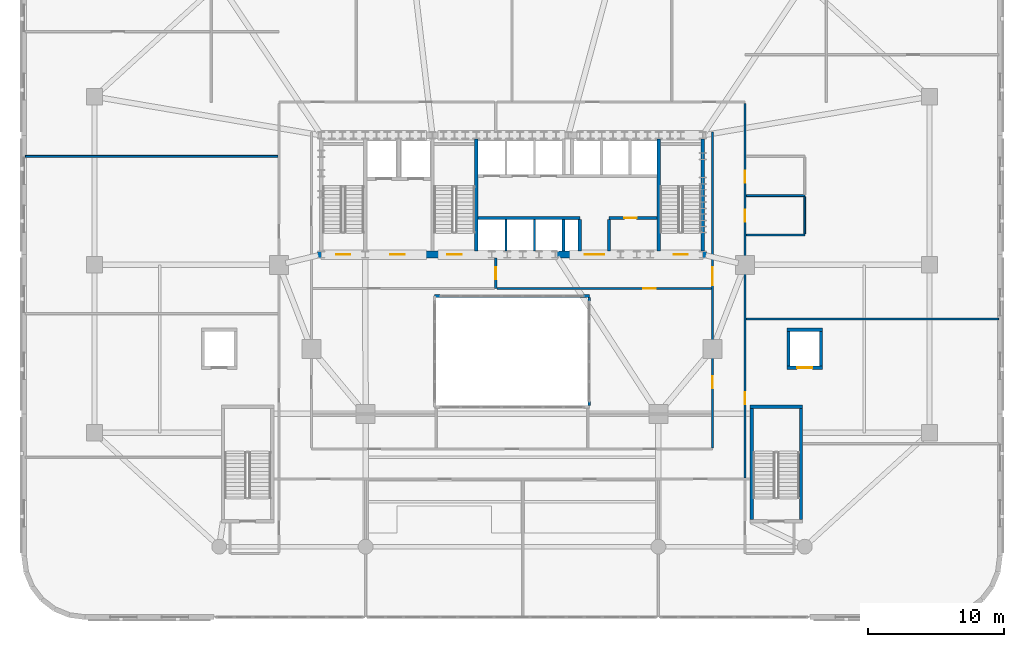
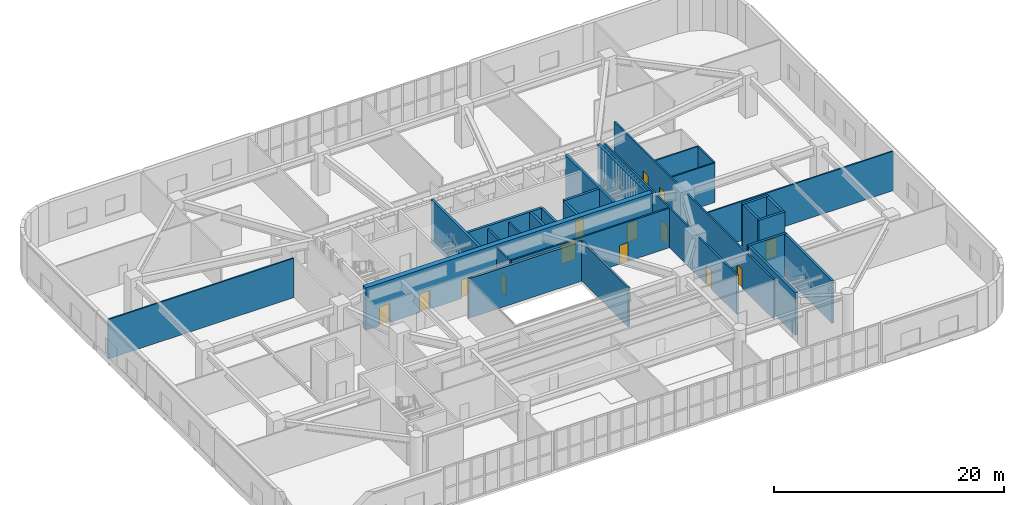
# One storey, part 15 of 25: 29 walls, 14 doors, 14 openings.
"""IFC4 building model written with IfcOpenShell, lengths in metres."""

from ifc_helpers import new_model, si_unit, direction, frame, frame_2d, origin, place, context, subcontext, project, spatial, rectangle, extrude, material, layer, layer_set, type_object, element, fill, save


model = new_model("IFC4")

# Units and contexts
model_context = context("Model", 3, precision=1e-05, world=origin(), true_north=direction((0.0, 1.0)))
body_context = subcontext(model_context, "Body", "Model", "MODEL_VIEW")
ifc_project = project(units=[si_unit("LENGTHUNIT", "METRE"), si_unit("AREAUNIT", "SQUARE_METRE"), si_unit("VOLUMEUNIT", "CUBIC_METRE"), si_unit("PLANEANGLEUNIT", "RADIAN"), si_unit("MASSUNIT", "GRAM", prefix="KILO")], contexts=[model_context])

# Site, building, storey
site_placement = place(None, origin())
site = spatial("IfcSite", under=ifc_project, at=site_placement, CompositionType="ELEMENT")
building_placement = place(site_placement, origin())
building = spatial("IfcBuilding", under=site, at=building_placement, Name="Haldorwick Loom Tower", CompositionType="ELEMENT")
storey_placement = place(building_placement, frame((0.0, 0.0, 10.5)))
storey = spatial("IfcBuildingStorey", under=building, at=storey_placement, Name="L02", CompositionType="ELEMENT", Elevation=10.5)

# Wall, opening, door
ifc_material_1 = material(Name="Fire-Rated Type X Gypsum Stud Assembly EI 60")
ifc_layer_1 = layer(ifc_material_1, 0.159912109375, Name="Fire-Rated Type X Gypsum Stud Assembly EI 60")
ifc_layer_set_1 = layer_set([ifc_layer_1], Name="Fire-Rated Type X Gypsum Stud Assembly EI 60")
wall_type_1 = type_object("IfcWallType", Name="ARC-WL-FIRE160", PredefinedType="PARTITIONING", material=ifc_layer_set_1)
wall_1_placement = place(storey_placement, frame((34.800048828125, 24.25, 0.0), z_axis=(0.0, 0.0, 1.0), x_axis=(0.0, 1.0, 0.0)))
wall_1 = element("IfcWall", 1, at=wall_1_placement, inside=storey, type_object=wall_type_1, Name="L02 Podium Partition L02-CCS", PredefinedType="PARTITIONING", context=body_context, shape_type="SweptSolid", body=[
    extrude(rectangle(XDim=2.2470703125, YDim=0.159912109375, at=frame_2d((1.12353515625, 0.0))), origin(), (0.0, 0.0, 1.0), 4.18505859375),
])
opening_1_placement = place(wall_1_placement, frame((0.673583984375, 0.0, 0.0)))
opening_1 = element("IfcOpeningElement", 2, at=opening_1_placement, cuts=wall_1, Name="Opening D-FD60A", PredefinedType="OPENING", context=body_context, shape_type="SweptSolid", body=[
    extrude(rectangle(XDim=0.89990234375, YDim=2.0, at=frame_2d((0.449951171875, 1.0))), frame((0.0, 0.08984375, 0.0), z_axis=(0.0, -1.0, 0.0), x_axis=(1.0, 0.0, 0.0)), (0.0, 0.0, 1.0), 0.179931640625),
])
ifc_material_2 = material(Name="Hollow Steel Fire Door Assembly", Category="steel")
door_type_1 = type_object("IfcDoorType", Name="ARC-DR-FD60-90", OperationType="NOTDEFINED", PredefinedType="DOOR", material=ifc_material_2)
door_1_placement = place(opening_1_placement, origin())
door_1 = element("IfcDoor", 3, at=door_1_placement, inside=storey, type_object=door_type_1, Name="L02 L02 West Core Corridor to L02 East Core Corridor Door", OperationType="SINGLE_SWING_LEFT", OverallHeight=2.0, OverallWidth=0.89990234375, PredefinedType="DOOR", context=body_context, shape_type="SweptSolid", body=[
    extrude(rectangle(XDim=0.89990234375, YDim=2.0, at=frame_2d((0.449951171875, 1.0))), frame((0.0, 0.02490234375, 0.0), z_axis=(0.0, -1.0, 0.0), x_axis=(1.0, 0.0, 0.0)), (0.0, 0.0, 1.0), 0.050048828125),
])
fill(opening_1, door_1)

# Wall, openings, doors
wall_2_placement = place(storey_placement, frame((53.199951171875, 10.282958984375, 0.0), z_axis=(0.0, 0.0, 1.0), x_axis=(0.0, 1.0, 0.0)))
wall_2 = element("IfcWall", 4, at=wall_2_placement, inside=storey, type_object=wall_type_1, Name="L02 Podium Partition L02-CE0", PredefinedType="PARTITIONING", context=body_context, shape_type="SweptSolid", body=[
    extrude(rectangle(XDim=27.634033203125, YDim=0.159912109375, at=frame_2d((13.81689453125, 0.0))), origin(), (0.0, 0.0, 1.0), 4.18505859375),
])
opening_2_placement = place(wall_2_placement, frame((5.408447265625, 0.0, 0.0)))
opening_2 = element("IfcOpeningElement", 5, at=opening_2_placement, cuts=wall_2, Name="Opening D-FD60A", PredefinedType="OPENING", context=body_context, shape_type="SweptSolid", body=[
    extrude(rectangle(XDim=0.89990234375, YDim=2.0, at=frame_2d((0.449951171875, 1.0))), frame((0.0, 0.08984375, 0.0), z_axis=(0.0, -1.0, 0.0), x_axis=(1.0, 0.0, 0.0)), (0.0, 0.0, 1.0), 0.179931640625),
])
opening_3_placement = place(wall_2_placement, frame((18.893798828125, 0.0, 0.0)))
opening_3 = element("IfcOpeningElement", 6, at=opening_3_placement, cuts=wall_2, Name="Opening D-FD60A", PredefinedType="OPENING", context=body_context, shape_type="SweptSolid", body=[
    extrude(rectangle(XDim=0.89990234375, YDim=2.0, at=frame_2d((0.449951171875, 1.0))), frame((0.0, 0.08984375, 0.0), z_axis=(0.0, -1.0, 0.0), x_axis=(1.0, 0.0, 0.0)), (0.0, 0.0, 1.0), 0.179931640625),
])
opening_4_placement = place(wall_2_placement, frame((21.767578125, 0.0, 0.0)))
opening_4 = element("IfcOpeningElement", 7, at=opening_4_placement, cuts=wall_2, Name="Opening D-FD60A", PredefinedType="OPENING", context=body_context, shape_type="SweptSolid", body=[
    extrude(rectangle(XDim=0.89990234375, YDim=2.0, at=frame_2d((0.449951171875, 1.0))), frame((0.0, 0.08984375, 0.0), z_axis=(0.0, -1.0, 0.0), x_axis=(1.0, 0.0, 0.0)), (0.0, 0.0, 1.0), 0.179931640625),
])
door_2_placement = place(opening_2_placement, origin())
door_2 = element("IfcDoor", 8, at=door_2_placement, inside=storey, type_object=door_type_1, Name="L02 L02 South Clinic Corridor to Clinic Conference Room 11 Door", OperationType="SINGLE_SWING_RIGHT", OverallHeight=2.0, OverallWidth=0.89990234375, PredefinedType="DOOR", context=body_context, shape_type="SweptSolid", body=[
    extrude(rectangle(XDim=0.89990234375, YDim=2.0, at=frame_2d((0.449951171875, 1.0))), frame((0.0, 0.02490234375, 0.0), z_axis=(0.0, -1.0, 0.0), x_axis=(1.0, 0.0, 0.0)), (0.0, 0.0, 1.0), 0.050048828125),
])
fill(opening_2, door_2)
door_3_placement = place(opening_3_placement, origin())
door_3 = element("IfcDoor", 9, at=door_3_placement, inside=storey, type_object=door_type_1, Name="L02 L02 South Clinic Corridor to Public Washroom Door", OperationType="SINGLE_SWING_RIGHT", OverallHeight=2.0, OverallWidth=0.89990234375, PredefinedType="DOOR", context=body_context, shape_type="SweptSolid", body=[
    extrude(rectangle(XDim=0.89990234375, YDim=2.0, at=frame_2d((0.449951171875, 1.0))), frame((0.0, 0.02490234375, 0.0), z_axis=(0.0, -1.0, 0.0), x_axis=(1.0, 0.0, 0.0)), (0.0, 0.0, 1.0), 0.050048828125),
])
fill(opening_3, door_3)
door_4_placement = place(opening_4_placement, origin())
door_4 = element("IfcDoor", 10, at=door_4_placement, inside=storey, type_object=door_type_1, Name="L02 L02 South Clinic Corridor to Accessible WC Door", OperationType="SINGLE_SWING_LEFT", OverallHeight=2.0, OverallWidth=0.89990234375, PredefinedType="DOOR", context=body_context, shape_type="SweptSolid", body=[
    extrude(rectangle(XDim=0.89990234375, YDim=2.0, at=frame_2d((0.449951171875, 1.0))), frame((0.0, 0.02490234375, 0.0), z_axis=(0.0, -1.0, 0.0), x_axis=(1.0, 0.0, 0.0)), (0.0, 0.0, 1.0), 0.050048828125),
])
fill(opening_4, door_4)

wall_3_placement = place(storey_placement, frame((50.800048828125, 12.48291015625, 0.0), z_axis=(0.0, 0.0, 1.0), x_axis=(0.0, 1.0, 0.0)))
wall_3 = element("IfcWall", 11, at=wall_3_placement, inside=storey, type_object=wall_type_1, Name="L02 Podium Partition L02-CE1", PredefinedType="PARTITIONING", context=body_context, shape_type="SweptSolid", body=[
    extrude(rectangle(XDim=23.317138671875, YDim=0.159912109375, at=frame_2d((11.65869140625, 0.0))), origin(), (0.0, 0.0, 1.0), 4.18505859375),
])
opening_5_placement = place(wall_3_placement, frame((11.99169921875, 0.0, 0.0)))
opening_5 = element("IfcOpeningElement", 12, at=opening_5_placement, cuts=wall_3, Name="Opening D-CR15", PredefinedType="OPENING", context=body_context, shape_type="SweptSolid", body=[
    extrude(rectangle(XDim=1.35009765625, YDim=2.0, at=frame_2d((0.675048828125, 1.0))), frame((0.0, 0.08984375, 0.0), z_axis=(0.0, -1.0, 0.0), x_axis=(1.0, 0.0, 0.0)), (0.0, 0.0, 1.0), 0.179931640625),
])
opening_6_placement = place(wall_3_placement, frame((4.405517578125, 0.0, 0.0)))
opening_6 = element("IfcOpeningElement", 13, at=opening_6_placement, cuts=wall_3, Name="Opening D-FD60A", PredefinedType="OPENING", context=body_context, shape_type="SweptSolid", body=[
    extrude(rectangle(XDim=0.89990234375, YDim=2.0, at=frame_2d((0.449951171875, 1.0))), frame((0.0, 0.08984375, 0.0), z_axis=(0.0, -1.0, 0.0), x_axis=(1.0, 0.0, 0.0)), (0.0, 0.0, 1.0), 0.179931640625),
])
ifc_material_3 = material(Name="Thermally Broken Anodized Aluminium and Tempered Glass", Category="aluminium")
door_type_2 = type_object("IfcDoorType", Name="ARC-DR-COR150", OperationType="NOTDEFINED", PredefinedType="DOOR", material=ifc_material_3)
door_5_placement = place(opening_5_placement, origin())
door_5 = element("IfcDoor", 14, at=door_5_placement, inside=storey, type_object=door_type_2, Name="L02 L02 East Core Corridor to L02 South Clinic Corridor Door", OperationType="DOUBLE_DOOR_SINGLE_SWING", OverallHeight=2.0, OverallWidth=1.35009765625, PredefinedType="DOOR", context=body_context, shape_type="SweptSolid", body=[
    extrude(rectangle(XDim=1.35009765625, YDim=2.0, at=frame_2d((0.675048828125, 1.0))), frame((0.0, 0.02490234375, 0.0), z_axis=(0.0, -1.0, 0.0), x_axis=(1.0, 0.0, 0.0)), (0.0, 0.0, 1.0), 0.050048828125),
])
fill(opening_5, door_5)
door_6_placement = place(opening_6_placement, origin())
door_6 = element("IfcDoor", 15, at=door_6_placement, inside=storey, type_object=door_type_1, Name="L02 Primary Care Examination Room 13 to L02 South Clinic Corridor Door", OperationType="SINGLE_SWING_LEFT", OverallHeight=2.0, OverallWidth=0.89990234375, PredefinedType="DOOR", context=body_context, shape_type="SweptSolid", body=[
    extrude(rectangle(XDim=0.89990234375, YDim=2.0, at=frame_2d((0.449951171875, 1.0))), frame((0.0, 0.02490234375, 0.0), z_axis=(0.0, -1.0, 0.0), x_axis=(1.0, 0.0, 0.0)), (0.0, 0.0, 1.0), 0.050048828125),
])
fill(opening_6, door_6)

# Wall, opening, door
wall_4_placement = place(storey_placement, frame((34.883056640625, 24.25, 0.0), z_axis=(0.0, 0.0, 1.0), x_axis=(1.0, 0.0, 0.0)))
wall_4 = element("IfcWall", 16, at=wall_4_placement, inside=storey, type_object=wall_type_1, Name="L02 Podium Partition L02-CMN", PredefinedType="PARTITIONING", context=body_context, shape_type="SweptSolid", body=[
    extrude(rectangle(XDim=15.833984375, YDim=0.159912109375, at=frame_2d((7.9169921875, 0.0))), origin(), (0.0, 0.0, 1.0), 4.18505859375),
])
opening_7_placement = place(wall_4_placement, frame((10.812255859375, 0.0, 0.0)))
opening_7 = element("IfcOpeningElement", 17, at=opening_7_placement, cuts=wall_4, Name="Opening D-FD60A", PredefinedType="OPENING", context=body_context, shape_type="SweptSolid", body=[
    extrude(rectangle(XDim=0.89990234375, YDim=2.0, at=frame_2d((0.449951171875, 1.0))), frame((0.0, 0.08984375, 0.0), z_axis=(0.0, -1.0, 0.0), x_axis=(1.0, 0.0, 0.0)), (0.0, 0.0, 1.0), 0.179931640625),
])
door_7_placement = place(opening_7_placement, origin())
door_7 = element("IfcDoor", 18, at=door_7_placement, inside=storey, type_object=door_type_1, Name="L02 L02 East Core Corridor to Primary Care Examination Room 13 Door", OperationType="SINGLE_SWING_RIGHT", OverallHeight=2.0, OverallWidth=0.89990234375, PredefinedType="DOOR", context=body_context, shape_type="SweptSolid", body=[
    extrude(rectangle(XDim=0.89990234375, YDim=2.0, at=frame_2d((0.449951171875, 1.0))), frame((0.0, 0.02490234375, 0.0), z_axis=(0.0, -1.0, 0.0), x_axis=(1.0, 0.0, 0.0)), (0.0, 0.0, 1.0), 0.050048828125),
])
fill(opening_7, door_7)

# Walls
ifc_material_4 = material(Name="Fire-Rated Type X Gypsum Stud Assembly EI 120")
ifc_layer_2 = layer(ifc_material_4, 0.199951171875, Name="Fire-Rated Type X Gypsum Stud Assembly EI 120")
ifc_layer_set_2 = layer_set([ifc_layer_2], Name="Fire-Rated Type X Gypsum Stud Assembly EI 120")
wall_type_2 = type_object("IfcWallType", Name="ARC-WL-FIRE200", PredefinedType="PARTITIONING", material=ifc_layer_set_2)
wall_5_placement = place(storey_placement, frame((30.300048828125, 23.699951171875, 0.0), z_axis=(0.0, 0.0, 1.0), x_axis=(1.0, 0.0, 0.0)))
element("IfcWall", 19, at=wall_5_placement, inside=storey, type_object=wall_type_2, Name="L02 Podium Atrium Wall", PredefinedType="PARTITIONING", context=body_context, shape_type="SweptSolid", body=[
    extrude(rectangle(XDim=11.39990234375, YDim=0.199951171875, at=frame_2d((5.699951171875, 0.0))), origin(), (0.0, 0.0, 1.0), 4.18505859375),
])
wall_6_placement = place(storey_placement, frame((41.699951171875, 23.596923828125, 0.0), z_axis=(0.0, 0.0, 1.0), x_axis=(0.0, -1.0, 0.0)))
element("IfcWall", 20, at=wall_6_placement, inside=storey, type_object=wall_type_2, Name="L02 Podium Atrium Wall", PredefinedType="PARTITIONING", context=body_context, shape_type="SweptSolid", body=[
    extrude(rectangle(XDim=7.993896484375, YDim=0.199951171875, at=frame_2d((3.9970703125, 0.0))), origin(), (0.0, 0.0, 1.0), 4.18505859375),
])
ifc_layer_3 = layer(ifc_material_1, 0.139892578125, Name="Fire-Rated Type X Gypsum Stud Assembly EI 60")
ifc_layer_set_3 = layer_set([ifc_layer_3], Name="Fire-Rated Type X Gypsum Stud Assembly EI 60")
wall_type_3 = type_object("IfcWallType", Name="ARC-WL-PART140", PredefinedType="PARTITIONING", material=ifc_layer_set_3)
for number, where, z_axis, x_axis, name in (
    (21, (53.282958984375, 28.199951171875, 0.0), (0.0, 0.0, 1.0), (1.0, 0.0, 0.0), "L02 Podium Partition L02-WC1"),
    (22, (53.282958984375, 31.10009765625, 0.0), (0.0, 0.0, 1.0), (1.0, 0.0, 0.0), "L02 Podium Partition L02-WC2"),
):
    element("IfcWall", number, at=place(storey_placement, frame(where, z_axis=z_axis, x_axis=x_axis)), inside=storey, type_object=wall_type_3, Name=name, PredefinedType="PARTITIONING", context=body_context, shape_type="SweptSolid", body=[
        extrude(rectangle(XDim=4.317138671875, YDim=0.139892578125, at=frame_2d((2.15869140625, 0.0))), origin(), (0.0, 0.0, 1.0), 4.18505859375),
    ])
wall_7_placement = place(storey_placement, frame((57.60009765625, 28.27294921875, 0.0), z_axis=(0.0, 0.0, 1.0), x_axis=(0.0, 1.0, 0.0)))
element("IfcWall", 23, at=wall_7_placement, inside=storey, type_object=wall_type_3, Name="L02 Podium Partition L02-WC4", PredefinedType="PARTITIONING", context=body_context, shape_type="SweptSolid", body=[
    extrude(rectangle(XDim=2.754150390625, YDim=0.139892578125, at=frame_2d((1.376953125, 0.0))), origin(), (0.0, 0.0, 1.0), 4.18505859375),
])
for number, where, z_axis, x_axis, name in (
    (24, (0.10009765625, 34.0, 0.0), (0.0, 0.0, 1.0), (1.0, 0.0, 0.0), "L02 Podium Partition L02-PW-2"),
    (25, (53.282958984375, 22.0, 0.0), (0.0, 0.0, 1.0), (1.0, 0.0, 0.0), "L02 Podium Partition L02-PE-1"),
):
    element("IfcWall", number, at=place(storey_placement, frame(where, z_axis=z_axis, x_axis=x_axis)), inside=storey, type_object=wall_type_3, Name=name, PredefinedType="PARTITIONING", context=body_context, shape_type="SweptSolid", body=[
        extrude(rectangle(XDim=18.616943359375, YDim=0.139892578125, at=frame_2d((9.30859375, 0.0))), origin(), (0.0, 0.0, 1.0), 4.18505859375),
    ])
ifc_layer_4 = layer(ifc_material_4, 0.1650390625, Name="Fire-Rated Type X Gypsum Stud Assembly EI 120")
ifc_layer_set_4 = layer_set([ifc_layer_4], Name="Fire-Rated Type X Gypsum Stud Assembly EI 120")
wall_type_4 = type_object("IfcWallType", Name="ARC-WL-SHAFT160", PredefinedType="MOVABLE", material=ifc_layer_set_4)
for number, where, z_axis, x_axis, name in (
    (26, (35.550048828125, 27.0029296875, 0.0), (0.0, 0.0, 1.0), (0.0, 1.0, 0.0), "L02 Mid-Rise Hoistway Divider 1"),
    (27, (37.64990234375, 27.0029296875, 0.0), (0.0, 0.0, 1.0), (0.0, 1.0, 0.0), "L02 Mid-Rise Hoistway Divider 2"),
):
    element("IfcWall", number, at=place(storey_placement, frame(where, z_axis=z_axis, x_axis=x_axis)), inside=storey, type_object=wall_type_4, Name=name, PredefinedType="MOVABLE", context=body_context, shape_type="SweptSolid", body=[
        extrude(rectangle(XDim=2.323974609375, YDim=0.159912109375, at=frame_2d((1.162109375, 0.0))), origin(), (0.0, 0.0, 1.0), 4.18505859375),
    ])

# Wall, openings, doors
ifc_material_5 = material(Name="Concrete C60 (60 MPa)", Category="concrete")
ifc_layer_5 = layer(ifc_material_5, 0.5, Name="Concrete C60 (60 MPa)", Category="concrete")
ifc_layer_set_5 = layer_set([ifc_layer_5], Name="Concrete C60 (60 MPa)")
wall_type_5 = type_object("IfcWallType", Name="STR-WL-CORE500", PredefinedType="SHEAR", material=ifc_layer_set_5)
wall_8_placement = place(storey_placement, frame((21.64990234375, 26.75, 0.0), z_axis=(0.0, 0.0, 1.0), x_axis=(1.0, 0.0, 0.0)))
wall_8 = element("IfcWall", 28, at=wall_8_placement, inside=storey, type_object=wall_type_5, Name="L02 Core Shear Wall S", PredefinedType="SHEAR", context=body_context, shape_type="SweptSolid", body=[
    extrude(rectangle(XDim=28.7001953125, YDim=0.5, at=frame_2d((14.35009765625, 0.0))), origin(), (0.0, 0.0, 1.0), 4.5),
])
opening_8_placement = place(wall_8_placement, frame((1.375, 0.0, 0.0)))
opening_8 = element("IfcOpeningElement", 29, at=opening_8_placement, cuts=wall_8, Name="Opening D-FD60", PredefinedType="OPENING", context=body_context, shape_type="SweptSolid", body=[
    extrude(rectangle(XDim=1.050048828125, YDim=2.0, at=frame_2d((0.52490234375, 1.0))), frame((0.0, 0.260009765625, 0.0), z_axis=(0.0, -1.0, 0.0), x_axis=(1.0, 0.0, 0.0)), (0.0, 0.0, 1.0), 0.52001953125),
])
opening_9_placement = place(wall_8_placement, frame((5.375, 0.0, 0.0)))
opening_9 = element("IfcOpeningElement", 30, at=opening_9_placement, cuts=wall_8, Name="Opening D-FD60", PredefinedType="OPENING", context=body_context, shape_type="SweptSolid", body=[
    extrude(rectangle(XDim=1.050048828125, YDim=2.0, at=frame_2d((0.52490234375, 1.0))), frame((0.0, 0.260009765625, 0.0), z_axis=(0.0, -1.0, 0.0), x_axis=(1.0, 0.0, 0.0)), (0.0, 0.0, 1.0), 0.52001953125),
])
opening_10_placement = place(wall_8_placement, frame((9.574951171875, 0.0, 0.0)))
opening_10 = element("IfcOpeningElement", 31, at=opening_10_placement, cuts=wall_8, Name="Opening D-FD60", PredefinedType="OPENING", context=body_context, shape_type="SweptSolid", body=[
    extrude(rectangle(XDim=1.050048828125, YDim=2.0, at=frame_2d((0.52490234375, 1.0))), frame((0.0, 0.260009765625, 0.0), z_axis=(0.0, -1.0, 0.0), x_axis=(1.0, 0.0, 0.0)), (0.0, 0.0, 1.0), 0.52001953125),
])
opening_11_placement = place(wall_8_placement, frame((19.705078125, 0.0, 0.0)))
opening_11 = element("IfcOpeningElement", 32, at=opening_11_placement, cuts=wall_8, Name="Opening D-LB15", PredefinedType="OPENING", context=body_context, shape_type="SweptSolid", body=[
    extrude(rectangle(XDim=1.449951171875, YDim=2.0, at=frame_2d((0.72509765625, 1.0))), frame((0.0, 0.260009765625, 0.0), z_axis=(0.0, -1.0, 0.0), x_axis=(1.0, 0.0, 0.0)), (0.0, 0.0, 1.0), 0.52001953125),
])
opening_12_placement = place(wall_8_placement, frame((26.27490234375, 0.0, 0.0)))
opening_12 = element("IfcOpeningElement", 33, at=opening_12_placement, cuts=wall_8, Name="Opening D-FD60", PredefinedType="OPENING", context=body_context, shape_type="SweptSolid", body=[
    extrude(rectangle(XDim=1.050048828125, YDim=2.0, at=frame_2d((0.52490234375, 1.0))), frame((0.0, 0.260009765625, 0.0), z_axis=(0.0, -1.0, 0.0), x_axis=(1.0, 0.0, 0.0)), (0.0, 0.0, 1.0), 0.52001953125),
])
door_type_3 = type_object("IfcDoorType", Name="ARC-DR-FD60", OperationType="NOTDEFINED", PredefinedType="DOOR", material=ifc_material_2)
door_8_placement = place(opening_8_placement, origin())
door_8 = element("IfcDoor", 34, at=door_8_placement, inside=storey, type_object=door_type_3, Name="L02 Exit Stair ST-01 Fire Door", OperationType="SINGLE_SWING_RIGHT", OverallHeight=2.0, OverallWidth=1.050048828125, PredefinedType="DOOR", context=body_context, shape_type="SweptSolid", body=[
    extrude(rectangle(XDim=1.050048828125, YDim=2.0, at=frame_2d((0.52490234375, 1.0))), frame((0.0, 0.02490234375, 0.0), z_axis=(0.0, -1.0, 0.0), x_axis=(1.0, 0.0, 0.0)), (0.0, 0.0, 1.0), 0.050048828125),
])
fill(opening_8, door_8)
door_9_placement = place(opening_9_placement, origin())
door_9 = element("IfcDoor", 35, at=door_9_placement, inside=storey, type_object=door_type_3, Name="L02 Firefighting Lift Lobby Fire Door", OperationType="SINGLE_SWING_LEFT", OverallHeight=2.0, OverallWidth=1.050048828125, PredefinedType="DOOR", context=body_context, shape_type="SweptSolid", body=[
    extrude(rectangle(XDim=1.050048828125, YDim=2.0, at=frame_2d((0.52490234375, 1.0))), frame((0.0, 0.02490234375, 0.0), z_axis=(0.0, -1.0, 0.0), x_axis=(1.0, 0.0, 0.0)), (0.0, 0.0, 1.0), 0.050048828125),
])
fill(opening_9, door_9)
door_10_placement = place(opening_10_placement, origin())
door_10 = element("IfcDoor", 36, at=door_10_placement, inside=storey, type_object=door_type_3, Name="L02 Exit Stair ST-03 Fire Door", OperationType="SINGLE_SWING_LEFT", OverallHeight=2.0, OverallWidth=1.050048828125, PredefinedType="DOOR", context=body_context, shape_type="SweptSolid", body=[
    extrude(rectangle(XDim=1.050048828125, YDim=2.0, at=frame_2d((0.52490234375, 1.0))), frame((0.0, 0.02490234375, 0.0), z_axis=(0.0, -1.0, 0.0), x_axis=(1.0, 0.0, 0.0)), (0.0, 0.0, 1.0), 0.050048828125),
])
fill(opening_10, door_10)
door_11_placement = place(opening_12_placement, origin())
door_11 = element("IfcDoor", 37, at=door_11_placement, inside=storey, type_object=door_type_3, Name="L02 Exit Stair ST-02 Fire Door", OperationType="SINGLE_SWING_LEFT", OverallHeight=2.0, OverallWidth=1.050048828125, PredefinedType="DOOR", context=body_context, shape_type="SweptSolid", body=[
    extrude(rectangle(XDim=1.050048828125, YDim=2.0, at=frame_2d((0.52490234375, 1.0))), frame((0.0, 0.02490234375, 0.0), z_axis=(0.0, -1.0, 0.0), x_axis=(1.0, 0.0, 0.0)), (0.0, 0.0, 1.0), 0.050048828125),
])
fill(opening_12, door_11)
door_type_4 = type_object("IfcDoorType", Name="ARC-DR-LOB150", OperationType="NOTDEFINED", PredefinedType="DOOR", material=ifc_material_3)
door_12_placement = place(opening_11_placement, frame((1.449951171875, 0.0, 0.0), z_axis=(0.0, 0.0, 1.0), x_axis=(-1.0, 0.0, 0.0)))
door_12 = element("IfcDoor", 38, at=door_12_placement, inside=storey, type_object=door_type_4, Name="L02 Passenger Lift Lobby Fire Door", OperationType="DOUBLE_DOOR_SINGLE_SWING", OverallHeight=2.0, OverallWidth=1.449951171875, PredefinedType="DOOR", context=body_context, shape_type="SweptSolid", body=[
    extrude(rectangle(XDim=1.449951171875, YDim=2.0, at=frame_2d((0.72509765625, 1.0))), frame((0.0, 0.02490234375, 0.0), z_axis=(0.0, -1.0, 0.0), x_axis=(1.0, 0.0, 0.0)), (0.0, 0.0, 1.0), 0.050048828125),
])
fill(opening_11, door_12)

# Walls
ifc_material_6 = material(Name="Concrete C50 (50 MPa)", Category="concrete")
ifc_layer_6 = layer(ifc_material_6, 0.239990234375, Name="Concrete C50 (50 MPa)", Category="concrete")
ifc_layer_set_6 = layer_set([ifc_layer_6], Name="Concrete C50 (50 MPa)")
wall_type_6 = type_object("IfcWallType", Name="STR-WL-SHAFT240", PredefinedType="SHEAR", material=ifc_layer_set_6)
for number, where, z_axis, x_axis, name in (
    (39, (50.070068359375, 27.0029296875, 0.0), (0.0, 0.0, 1.0), (0.0, 1.0, 0.0), "L02 Core Shear Wall E"),
    (40, (33.3701171875, 27.0029296875, 0.0), (0.0, 0.0, 1.0), (0.0, 1.0, 0.0), "L02 Core Shear Wall 3"),
    (41, (46.830078125, 27.0029296875, 0.0), (0.0, 0.0, 1.0), (0.0, 1.0, 0.0), "L02 Core Shear Wall 4"),
):
    element("IfcWall", number, at=place(storey_placement, frame(where, z_axis=z_axis, x_axis=x_axis)), inside=storey, type_object=wall_type_6, Name=name, PredefinedType="SHEAR", context=body_context, shape_type="SweptSolid", body=[
        extrude(rectangle(XDim=8.294189453125, YDim=0.239990234375, at=frame_2d((4.14697265625, 0.0))), origin(), (0.0, 0.0, 1.0), 4.5),
    ])
wall_9_placement = place(storey_placement, frame((33.492919921875, 29.449951171875, 0.0), z_axis=(0.0, 0.0, 1.0), x_axis=(1.0, 0.0, 0.0)))
element("IfcWall", 42, at=wall_9_placement, inside=storey, type_object=wall_type_6, Name="L02 Core Shear Wall LS1", PredefinedType="SHEAR", context=body_context, shape_type="SweptSolid", body=[
    extrude(rectangle(XDim=7.507080078125, YDim=0.239990234375, at=frame_2d((3.75341796875, 0.0))), origin(), (0.0, 0.0, 1.0), 4.5),
])

# Wall, opening, door
wall_10_placement = place(storey_placement, frame((43.14990234375, 29.449951171875, 0.0), z_axis=(0.0, 0.0, 1.0), x_axis=(1.0, 0.0, 0.0)))
wall_10 = element("IfcWall", 43, at=wall_10_placement, inside=storey, type_object=wall_type_6, Name="L02 Core Shear Wall LS2", PredefinedType="SHEAR", context=body_context, shape_type="SweptSolid", body=[
    extrude(rectangle(XDim=3.55712890625, YDim=0.239990234375, at=frame_2d((1.778564453125, 0.0))), origin(), (0.0, 0.0, 1.0), 4.5),
])
opening_13_placement = place(wall_10_placement, frame((1.14990234375, 0.0, 0.0)))
opening_13 = element("IfcOpeningElement", 44, at=opening_13_placement, cuts=wall_10, Name="Opening D-FD60A", PredefinedType="OPENING", context=body_context, shape_type="SweptSolid", body=[
    extrude(rectangle(XDim=0.89990234375, YDim=2.0, at=frame_2d((0.449951171875, 1.0))), frame((0.0, 0.1298828125, 0.0), z_axis=(0.0, -1.0, 0.0), x_axis=(1.0, 0.0, 0.0)), (0.0, 0.0, 1.0), 0.260009765625),
])
door_13_placement = place(opening_13_placement, origin())
door_13 = element("IfcDoor", 45, at=door_13_placement, inside=storey, type_object=door_type_1, Name="L02 Electrical Metering Door", OperationType="SINGLE_SWING_LEFT", OverallHeight=2.0, OverallWidth=0.89990234375, PredefinedType="DOOR", context=body_context, shape_type="SweptSolid", body=[
    extrude(rectangle(XDim=0.89990234375, YDim=2.0, at=frame_2d((0.449951171875, 1.0))), frame((0.0, 0.02490234375, 0.0), z_axis=(0.0, -1.0, 0.0), x_axis=(1.0, 0.0, 0.0)), (0.0, 0.0, 1.0), 0.050048828125),
])
fill(opening_13, door_13)

# Walls
for number, where, z_axis, x_axis, name in (
    (46, (41.0, 27.0029296875, 0.0), (0.0, 0.0, 1.0), (0.0, 1.0, 0.0), "L02 Core Shear Wall THW"),
    (47, (43.14990234375, 27.0029296875, 0.0), (0.0, 0.0, 1.0), (0.0, 1.0, 0.0), "L02 Core Shear Wall THE"),
    (48, (39.800048828125, 27.0029296875, 0.0), (0.0, 0.0, 1.0), (0.0, 1.0, 0.0), "L02 Core Shear Wall MRW"),
):
    element("IfcWall", number, at=place(storey_placement, frame(where, z_axis=z_axis, x_axis=x_axis)), inside=storey, type_object=wall_type_6, Name=name, PredefinedType="SHEAR", context=body_context, shape_type="SweptSolid", body=[
        extrude(rectangle(XDim=2.323974609375, YDim=0.239990234375, at=frame_2d((1.162109375, 0.0))), origin(), (0.0, 0.0, 1.0), 4.5),
    ])
wall_11_placement = place(storey_placement, frame((57.43994140625, 15.52001953125, 0.0), z_axis=(0.0, 0.0, 1.0), x_axis=(-1.0, 0.0, 0.0)))
element("IfcWall", 49, at=wall_11_placement, inside=storey, type_object=wall_type_6, Name="L02 Exit Stairwell ST-P2 Wall", PredefinedType="SHEAR", context=body_context, shape_type="SweptSolid", body=[
    extrude(rectangle(XDim=3.8798828125, YDim=0.239990234375, at=frame_2d((1.93994140625, 0.0))), origin(), (0.0, 0.0, 1.0), 4.5),
])
for number, where, z_axis, x_axis, name in (
    (50, (53.679931640625, 7.202880859375, 0.0), (0.0, 0.0, 1.0), (0.0, 1.0, 0.0), "L02 Exit Stairwell ST-P2 Wall"),
    (51, (57.320068359375, 7.202880859375, 0.0), (0.0, 0.0, 1.0), (0.0, 1.0, 0.0), "L02 Exit Stairwell ST-P2 Wall"),
):
    element("IfcWall", number, at=place(storey_placement, frame(where, z_axis=z_axis, x_axis=x_axis)), inside=storey, type_object=wall_type_6, Name=name, PredefinedType="SHEAR", context=body_context, shape_type="SweptSolid", body=[
        extrude(rectangle(XDim=8.194091796875, YDim=0.239990234375, at=frame_2d((4.09716796875, 0.0))), origin(), (0.0, 0.0, 1.0), 4.5),
    ])

# Wall, opening, door
wall_12_placement = place(storey_placement, frame((56.280029296875, 18.39990234375, 0.0), z_axis=(0.0, 0.0, 1.0), x_axis=(1.0, 0.0, 0.0)))
wall_12 = element("IfcWall", 52, at=wall_12_placement, inside=storey, type_object=wall_type_6, Name="L02 Podium Lift Shaft LF-P2 Wall", PredefinedType="SHEAR", context=body_context, shape_type="SweptSolid", body=[
    extrude(rectangle(XDim=2.639892578125, YDim=0.239990234375, at=frame_2d((1.31982421875, 0.0))), origin(), (0.0, 0.0, 1.0), 4.5),
])
opening_14_placement = place(wall_12_placement, frame((0.760009765625, 0.0, 0.0)))
opening_14 = element("IfcOpeningElement", 53, at=opening_14_placement, cuts=wall_12, Name="Opening LD-P2", PredefinedType="OPENING", context=body_context, shape_type="SweptSolid", body=[
    extrude(rectangle(XDim=1.1201171875, YDim=2.0, at=frame_2d((0.56005859375, 1.0))), frame((0.0, 0.1298828125, 0.0), z_axis=(0.0, -1.0, 0.0), x_axis=(1.0, 0.0, 0.0)), (0.0, 0.0, 1.0), 0.260009765625),
])
door_type_5 = type_object("IfcDoorType", Name="ARC-DR-LD-PAX", OperationType="NOTDEFINED", PredefinedType="USERDEFINED", material=ifc_material_2)
door_14_placement = place(opening_14_placement, origin())
door_14 = element("IfcDoor", 54, at=door_14_placement, inside=storey, type_object=door_type_5, Name="L02 Lift LF-P2 Sliding Landing Door", ObjectType="LANDING DOOR", OperationType="DOUBLE_DOOR_SLIDING", OverallHeight=2.0, OverallWidth=1.1201171875, PredefinedType="USERDEFINED", context=body_context, shape_type="SweptSolid", body=[
    extrude(rectangle(XDim=1.1201171875, YDim=2.0, at=frame_2d((0.56005859375, 1.0))), frame((0.0, 0.02490234375, 0.0), z_axis=(0.0, -1.0, 0.0), x_axis=(1.0, 0.0, 0.0)), (0.0, 0.0, 1.0), 0.050048828125),
])
fill(opening_14, door_14)

# Walls
wall_13_placement = place(storey_placement, frame((58.919921875, 21.199951171875, 0.0), z_axis=(0.0, 0.0, 1.0), x_axis=(-1.0, 0.0, 0.0)))
element("IfcWall", 55, at=wall_13_placement, inside=storey, type_object=wall_type_6, Name="L02 Podium Lift Shaft LF-P2 Wall", PredefinedType="SHEAR", context=body_context, shape_type="SweptSolid", body=[
    extrude(rectangle(XDim=2.639892578125, YDim=0.239990234375, at=frame_2d((1.31982421875, 0.0))), origin(), (0.0, 0.0, 1.0), 4.5),
])
for number, where, z_axis, x_axis, name in (
    (56, (56.39990234375, 18.52294921875, 0.0), (0.0, 0.0, 1.0), (0.0, 1.0, 0.0), "L02 Podium Lift Shaft LF-P2 Wall"),
    (57, (58.800048828125, 18.52294921875, 0.0), (0.0, 0.0, 1.0), (0.0, 1.0, 0.0), "L02 Podium Lift Shaft LF-P2 Wall"),
):
    element("IfcWall", number, at=place(storey_placement, frame(where, z_axis=z_axis, x_axis=x_axis)), inside=storey, type_object=wall_type_6, Name=name, PredefinedType="SHEAR", context=body_context, shape_type="SweptSolid", body=[
        extrude(rectangle(XDim=2.553955078125, YDim=0.239990234375, at=frame_2d((1.27685546875, 0.0))), origin(), (0.0, 0.0, 1.0), 4.5),
    ])

save(model, "model.ifc")
